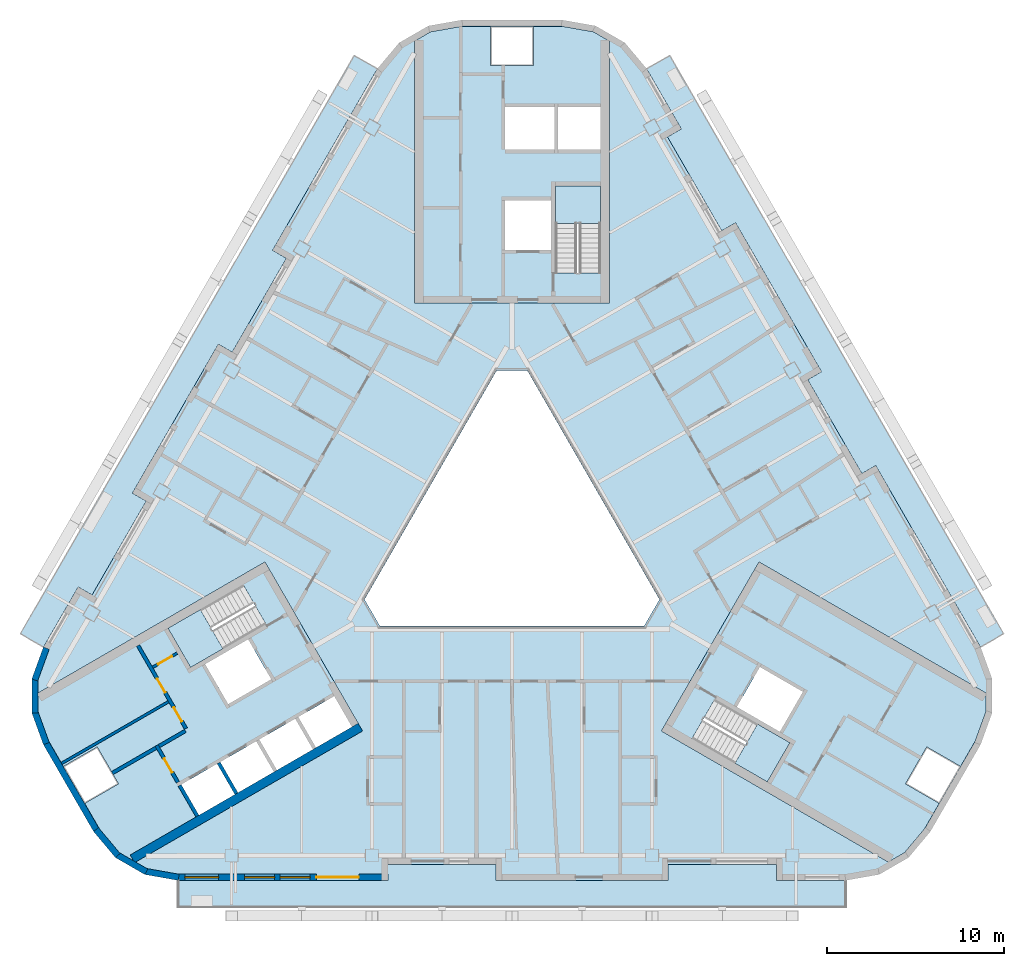
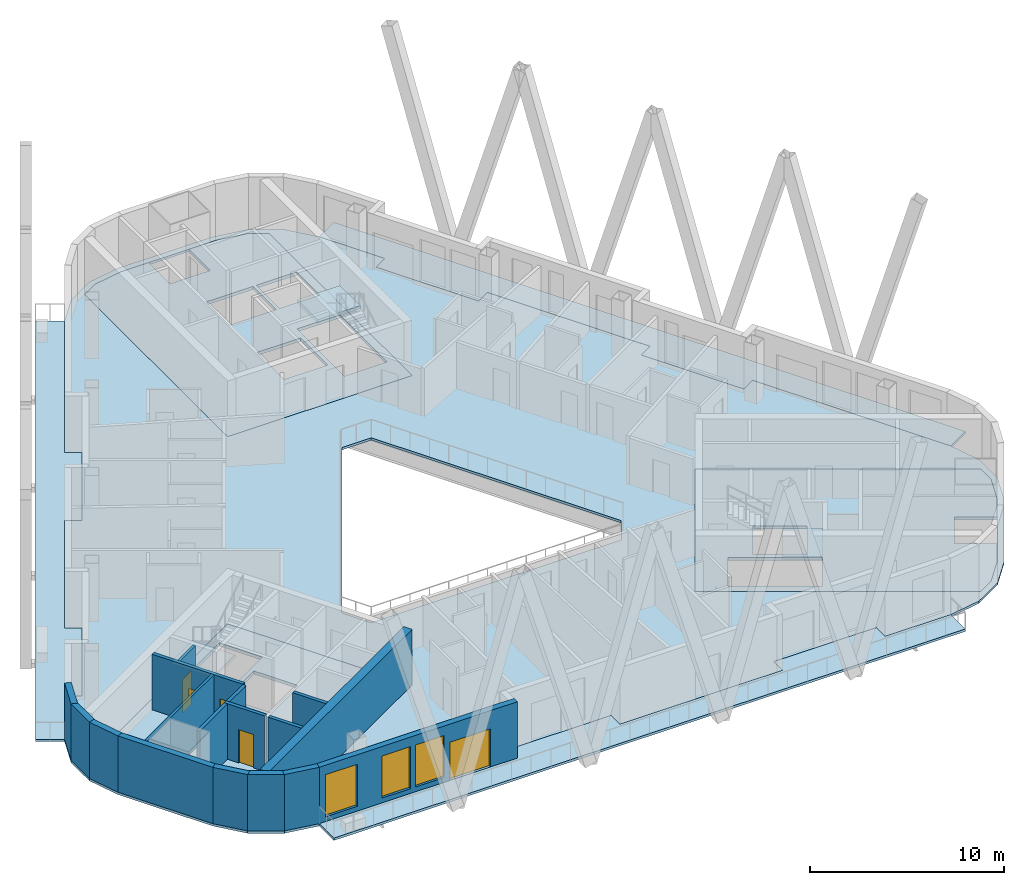
# One storey, part 2 of 14: 17 walls, 10 slabs, 5 doors, 3 windows, 8 openings, 3 elements without a shape of their own.
"""IFC4 building model written with IfcOpenShell, lengths in metres."""

from ifc_helpers import new_model, si_unit, direction, frame, frame_2d, origin, place, context, subcontext, project, spatial, polyline, rectangle, outline, extrude, material, layer, layer_set, type_object, element, fill, aggregate, save


model = new_model("IFC4")

# Units and contexts
model_context = context("Model", 3, precision=1e-05, world=origin(), true_north=direction((0.0, 1.0)))
body_context = subcontext(model_context, "Body", "Model", "MODEL_VIEW")
ifc_project = project(units=[si_unit("LENGTHUNIT", "METRE"), si_unit("AREAUNIT", "SQUARE_METRE"), si_unit("VOLUMEUNIT", "CUBIC_METRE"), si_unit("PLANEANGLEUNIT", "RADIAN"), si_unit("MASSUNIT", "GRAM", prefix="KILO")], contexts=[model_context])

# Site, building, storey
site_placement = place(None, origin())
site = spatial("IfcSite", under=ifc_project, at=site_placement, CompositionType="ELEMENT")
building_placement = place(site_placement, origin())
building = spatial("IfcBuilding", under=site, at=building_placement, Name="Apuvela Tower Hotel", CompositionType="ELEMENT")
storey_placement = place(building_placement, frame((0.0, 0.0, 224.300048828125)))
storey = spatial("IfcBuildingStorey", under=building, at=storey_placement, Name="L55", CompositionType="ELEMENT", Elevation=224.300048828125)

# Slabs
ifc_material_1 = material(Name="Concrete C50/60", Category="concrete")
ifc_layer_1 = layer(ifc_material_1, 0.199951171875)
ifc_layer_set_1 = layer_set([ifc_layer_1], Name="COR-FLOOR-200")
slab_type_1 = type_object("IfcSlabType", Name="COR-FLOOR-200", PredefinedType="FLOOR", material=ifc_layer_set_1)
slab_1_placement = place(storey_placement, frame((0.0, 0.0, -0.199951171875)))
element("IfcSlab", 1, at=slab_1_placement, inside=storey, type_object=slab_type_1, Name="Core floor N", PredefinedType="FLOOR", context=body_context, shape_type="SweptSolid", body=[
    extrude(outline(polyline([(5.5, 27.668212890625), (4.588623046875, 28.1943359375), (2.85498046875, 28.5), (1.199951171875, 28.5), (1.199951171875, 26.300048828125), (-1.199951171875, 26.300048828125), (-1.199951171875, 28.5), (-2.85498046875, 28.5), (-4.588623046875, 28.1943359375), (-5.5, 27.668212890625), (-5.5, 12.89990234375), (5.5, 12.89990234375), (5.5, 27.668212890625)]), holes=[polyline([(5.0, 14.60595703125), (2.449951171875, 14.60595703125), (2.449951171875, 19.5), (5.0, 19.5), (5.0, 14.60595703125)]), polyline([(2.199951171875, 15.89990234375), (-0.39990234375, 15.89990234375), (-0.39990234375, 18.699951171875), (2.199951171875, 18.699951171875), (2.199951171875, 15.89990234375)]), polyline([(5.0, 21.550048828125), (2.60009765625, 21.550048828125), (2.60009765625, 23.949951171875), (5.0, 23.949951171875), (5.0, 21.550048828125)]), polyline([(2.39990234375, 21.550048828125), (-0.39990234375, 21.550048828125), (-0.39990234375, 23.949951171875), (2.39990234375, 23.949951171875), (2.39990234375, 21.550048828125)])]), origin(), (0.0, 0.0, 1.0), 0.199951171875),
])
slab_2_placement = place(storey_placement, frame((0.0, 0.0, -0.199951171875)))
element("IfcSlab", 2, at=slab_2_placement, inside=storey, type_object=slab_type_1, Name="Core floor SW", PredefinedType="FLOOR", context=body_context, shape_type="SweptSolid", body=[
    extrude(outline(polyline([(-26.711181640625, -9.07080078125), (-26.711181640625, -10.123291015625), (-26.109375, -11.77734375), (-25.28173828125, -13.210693359375), (-23.37646484375, -12.11083984375), (-22.176513671875, -14.189208984375), (-24.081787109375, -15.289306640625), (-23.254150390625, -16.72265625), (-22.122802734375, -18.071044921875), (-21.211181640625, -18.59716796875), (-8.421630859375, -11.213134765625), (-13.921630859375, -1.68701171875), (-26.711181640625, -9.07080078125)]), holes=[polyline([(-10.01806640625, -9.248046875), (-9.01806640625, -10.97998046875), (-11.044677734375, -12.150146484375), (-12.044677734375, -10.418212890625), (-10.01806640625, -9.248046875)]), polyline([(-14.244384765625, -11.68798828125), (-12.2177734375, -10.51806640625), (-11.2177734375, -12.25), (-13.244384765625, -13.420166015625), (-14.244384765625, -11.68798828125)]), polyline([(-19.387451171875, -5.419921875), (-15.149169921875, -2.972900390625), (-13.874267578125, -5.18115234375), (-18.112548828125, -7.628173828125), (-19.387451171875, -5.419921875)]), polyline([(-14.869873046875, -6.044677734375), (-13.56982421875, -8.29638671875), (-15.99462890625, -9.6962890625), (-17.294677734375, -7.444580078125), (-14.869873046875, -6.044677734375)]), polyline([(-16.444091796875, -12.9580078125), (-14.41748046875, -11.7880859375), (-13.41748046875, -13.52001953125), (-15.444091796875, -14.690185546875), (-16.444091796875, -12.9580078125)]), polyline([(-18.643798828125, -14.22802734375), (-16.6171875, -13.05810546875), (-15.6171875, -14.7900390625), (-17.643798828125, -15.960205078125), (-18.643798828125, -14.22802734375)])]), origin(), (0.0, 0.0, 1.0), 0.199951171875),
])
slab_3_placement = place(storey_placement, frame((0.0, 0.0, -0.199951171875)))
element("IfcSlab", 3, at=slab_3_placement, inside=storey, type_object=slab_type_1, Name="Core floor SE", PredefinedType="FLOOR", context=body_context, shape_type="SweptSolid", body=[
    extrude(outline(polyline([(21.211181640625, -18.59716796875), (22.122802734375, -18.071044921875), (23.254150390625, -16.72265625), (24.081787109375, -15.289306640625), (22.176513671875, -14.189208984375), (23.37646484375, -12.11083984375), (25.28173828125, -13.210693359375), (26.109375, -11.77734375), (26.711181640625, -10.123291015625), (26.711181640625, -9.07080078125), (13.921630859375, -1.68701171875), (8.421630859375, -11.213134765625), (21.211181640625, -18.59716796875)]), holes=[polyline([(11.42431640625, -9.4248046875), (15.66259765625, -11.871826171875), (14.387451171875, -14.080078125), (10.149169921875, -11.633056640625), (11.42431640625, -9.4248046875)]), polyline([(13.9697265625, -7.603515625), (16.394775390625, -9.003662109375), (15.0947265625, -11.25537109375), (12.669921875, -9.855224609375), (13.9697265625, -7.603515625)])]), origin(), (0.0, 0.0, 1.0), 0.199951171875),
])

# Stair, slab
stair_type = type_object("IfcStairType", Name="COR-STAIR-22R", PredefinedType="HALF_TURN_STAIR", material=ifc_material_1)
stair_1_placement = place(storey_placement, origin())
stair_1 = element("IfcStair", 4, at=stair_1_placement, inside=storey, type_object=stair_type, Name="L55 Exit stair ST1", PredefinedType="HALF_TURN_STAIR")
ifc_layer_2 = layer(ifc_material_1, 0.199951171875)
ifc_layer_set_2 = layer_set([ifc_layer_2], Name="COR-LANDING-200")
slab_type_2 = type_object("IfcSlabType", Name="COR-LANDING-200", PredefinedType="LANDING", material=ifc_layer_set_2)
slab_4_placement = place(storey_placement, frame((0.0, 0.0, 1.64990234375)))
slab_4 = element("IfcSlab", 5, at=slab_4_placement, type_object=slab_type_2, Name="ST1 landing 1", PredefinedType="LANDING", context=body_context, shape_type="SweptSolid", body=[
    extrude(outline(polyline([(5.0, 17.39404296875), (5.0, 19.5), (2.449951171875, 19.5), (2.449951171875, 17.39404296875), (5.0, 17.39404296875)])), origin(), (0.0, 0.0, 1.0), 0.199951171875),
])
aggregate(stair_1, [slab_4])

stair_2_placement = place(storey_placement, origin())
stair_2 = element("IfcStair", 6, at=stair_2_placement, inside=storey, type_object=stair_type, Name="L55 Exit stair ST2", PredefinedType="HALF_TURN_STAIR")
slab_5_placement = place(storey_placement, frame((0.0, 0.0, 1.64990234375)))
slab_5 = element("IfcSlab", 7, at=slab_5_placement, type_object=slab_type_2, Name="ST2 landing 1", PredefinedType="LANDING", context=body_context, shape_type="SweptSolid", body=[
    extrude(outline(polyline([(-17.563720703125, -4.366943359375), (-19.387451171875, -5.419921875), (-18.112548828125, -7.628173828125), (-16.28857421875, -6.5751953125), (-17.563720703125, -4.366943359375)])), origin(), (0.0, 0.0, 1.0), 0.199951171875),
])
aggregate(stair_2, [slab_5])

stair_3_placement = place(storey_placement, origin())
stair_3 = element("IfcStair", 8, at=stair_3_placement, inside=storey, type_object=stair_type, Name="L55 Exit stair ST3", PredefinedType="HALF_TURN_STAIR")
slab_6_placement = place(storey_placement, frame((0.0, 0.0, 1.64990234375)))
slab_6 = element("IfcSlab", 9, at=slab_6_placement, type_object=slab_type_2, Name="ST3 landing 1", PredefinedType="LANDING", context=body_context, shape_type="SweptSolid", body=[
    extrude(outline(polyline([(12.563720703125, -13.027099609375), (14.387451171875, -14.080078125), (15.66259765625, -11.871826171875), (13.838623046875, -10.81884765625), (12.563720703125, -13.027099609375)])), origin(), (0.0, 0.0, 1.0), 0.199951171875),
])
aggregate(stair_3, [slab_6])

# Slabs
ifc_material_2 = material(Name="Concrete C40/50, fair-faced", Category="concrete")
ifc_layer_3 = layer(ifc_material_2, 0.14990234375)
ifc_layer_set_3 = layer_set([ifc_layer_3], Name="ENV-BALCONY-150")
slab_type_3 = type_object("IfcSlabType", Name="ENV-BALCONY-150", PredefinedType="FLOOR", material=ifc_layer_set_3)
slab_7_placement = place(storey_placement, frame((0.0, 0.0, -0.150146484375)))
element("IfcSlab", 10, at=slab_7_placement, inside=storey, type_object=slab_type_3, Name="Balcony slab S L55", PredefinedType="FLOOR", context=body_context, shape_type="SweptSolid", body=[
    extrude(outline(polyline([(18.82080078125, -21.135009765625), (-18.82080078125, -21.135009765625), (-18.82080078125, -19.625), (-7.0048828125, -19.625), (-7.0048828125, -18.72509765625), (-0.89501953125, -18.72509765625), (-0.89501953125, -19.625), (8.794921875, -19.625), (8.794921875, -18.72509765625), (14.905029296875, -18.72509765625), (14.905029296875, -19.625), (18.82080078125, -19.625), (18.82080078125, -21.135009765625)])), origin(), (0.0, 0.0, 1.0), 0.150146484375),
])
slab_8_placement = place(storey_placement, frame((0.0, 0.0, -0.150146484375)))
element("IfcSlab", 11, at=slab_8_placement, inside=storey, type_object=slab_type_3, Name="Balcony slab NE L55", PredefinedType="FLOOR", context=body_context, shape_type="SweptSolid", body=[
    extrude(outline(polyline([(17.443359375, 9.037353515625), (12.598388671875, 17.42919921875), (11.81884765625, 16.979248046875), (8.763916015625, 22.2705078125), (9.543212890625, 22.720703125), (7.585205078125, 26.11181640625), (8.89306640625, 26.86669921875), (27.7138671875, -5.731689453125), (26.40625, -6.48681640625), (20.498291015625, 3.74609375), (19.71875, 3.2958984375), (16.663818359375, 8.58740234375), (17.443359375, 9.037353515625)])), origin(), (0.0, 0.0, 1.0), 0.150146484375),
])
slab_9_placement = place(storey_placement, frame((0.0, 0.0, -0.150146484375)))
element("IfcSlab", 12, at=slab_9_placement, inside=storey, type_object=slab_type_3, Name="Balcony slab NW L55", PredefinedType="FLOOR", context=body_context, shape_type="SweptSolid", body=[
    extrude(outline(polyline([(-27.7138671875, -5.731689453125), (-8.89306640625, 26.86669921875), (-7.585205078125, 26.11181640625), (-13.4931640625, 15.87890625), (-12.7138671875, 15.428955078125), (-15.768798828125, 10.1376953125), (-16.548095703125, 10.587646484375), (-21.393310546875, 2.19580078125), (-20.61376953125, 1.745849609375), (-23.668701171875, -3.545654296875), (-24.4482421875, -3.095703125), (-26.40625, -6.48681640625), (-27.7138671875, -5.731689453125)])), origin(), (0.0, 0.0, 1.0), 0.150146484375),
])
ifc_material_3 = material(Name="Concrete C35/45", Category="concrete")
ifc_layer_4 = layer(ifc_material_3, 0.14990234375)
ifc_layer_set_4 = layer_set([ifc_layer_4], Name="STR-SLAB 150 floor Concrete C35/45")
slab_type_4 = type_object("IfcSlabType", Name="STR-SLAB 150 floor Concrete C35/45", PredefinedType="FLOOR", material=ifc_layer_set_4)
slab_10_placement = place(storey_placement, frame((0.0, 0.0, -0.150146484375)))
element("IfcSlab", 13, at=slab_10_placement, inside=storey, type_object=slab_type_4, Name="Floor slab S4 L55", PredefinedType="FLOOR", context=body_context, shape_type="SweptSolid", body=[
    extrude(outline(polyline([(-6.3642578125, 27.5732421875), (-4.710205078125, 28.5283203125), (-2.8291015625, 28.860107421875), (2.8291015625, 28.860107421875), (4.710205078125, 28.5283203125), (6.3642578125, 27.5732421875), (7.59228515625, 26.110107421875), (9.550048828125, 22.71875), (8.770751953125, 22.268798828125), (11.82080078125, 16.986083984375), (12.60009765625, 17.43603515625), (17.4501953125, 9.035400390625), (16.670654296875, 8.58544921875), (19.720703125, 3.302734375), (20.5, 3.752685546875), (26.407958984375, -6.47998046875), (27.061279296875, -8.27490234375), (27.061279296875, -10.18505859375), (26.407958984375, -11.97998046875), (23.5791015625, -16.8798828125), (22.351318359375, -18.34326171875), (20.697021484375, -19.29833984375), (18.81591796875, -19.6298828125), (14.89990234375, -19.6298828125), (14.89990234375, -18.72998046875), (8.800048828125, -18.72998046875), (8.800048828125, -19.6298828125), (-0.89990234375, -19.6298828125), (-0.89990234375, -18.72998046875), (-7.0, -18.72998046875), (-7.0, -19.6298828125), (-18.81591796875, -19.6298828125), (-20.697021484375, -19.29833984375), (-22.351318359375, -18.34326171875), (-23.5791015625, -16.8798828125), (-26.407958984375, -11.97998046875), (-27.061279296875, -10.18505859375), (-27.061279296875, -8.27490234375), (-26.407958984375, -6.47998046875), (-24.4501953125, -3.088623046875), (-23.670654296875, -3.538818359375), (-20.62060546875, 1.743896484375), (-21.400146484375, 2.194091796875), (-16.550048828125, 10.594482421875), (-15.7705078125, 10.14453125), (-12.720703125, 15.42724609375), (-13.5, 15.877197265625), (-7.59228515625, 26.110107421875), (-6.3642578125, 27.5732421875)]), holes=[polyline([(0.865966796875, 9.10009765625), (-0.865966796875, 9.10009765625), (-8.313720703125, -3.800048828125), (-7.44775390625, -5.300048828125), (7.44775390625, -5.300048828125), (8.313720703125, -3.800048828125), (0.865966796875, 9.10009765625)]), polyline([(-5.5, 12.89990234375), (-5.5, 27.668212890625), (-4.588623046875, 28.1943359375), (-2.85498046875, 28.5), (2.85498046875, 28.5), (4.588623046875, 28.1943359375), (5.5, 27.668212890625), (5.5, 12.89990234375), (-5.5, 12.89990234375)]), polyline([(-8.421630859375, -11.213134765625), (-21.211181640625, -18.59716796875), (-22.122802734375, -18.071044921875), (-23.254150390625, -16.72265625), (-26.109375, -11.77734375), (-26.711181640625, -10.123291015625), (-26.711181640625, -9.07080078125), (-13.921630859375, -1.68701171875), (-8.421630859375, -11.213134765625)]), polyline([(13.921630859375, -1.68701171875), (26.711181640625, -9.07080078125), (26.711181640625, -10.123291015625), (26.109375, -11.77734375), (23.254150390625, -16.72265625), (22.122802734375, -18.071044921875), (21.211181640625, -18.59716796875), (8.421630859375, -11.213134765625), (13.921630859375, -1.68701171875)])]), origin(), (0.0, 0.0, 1.0), 0.150146484375),
])

# Wall
ifc_layer_5 = layer(ifc_material_1, 0.5)
ifc_layer_set_5 = layer_set([ifc_layer_5], Name="COR-WALL-CORE-500")
wall_type_1 = type_object("IfcWallType", Name="COR-WALL-CORE-500", PredefinedType="SHEAR", material=ifc_layer_set_5)
wall_1_placement = place(storey_placement, frame((-8.546630859375, -10.99658203125, 0.0), z_axis=(0.0, 0.0, 1.0), x_axis=(-0.866025009528, -0.500000682871, 0.0)))
element("IfcWall", 14, at=wall_1_placement, inside=storey, type_object=wall_type_1, Name="Core wall SW", PredefinedType="SHEAR", context=body_context, shape_type="SweptSolid", body=[
    extrude(rectangle(XDim=14.8369140625, YDim=0.5, at=frame_2d((7.41845703125, 0.0))), origin(), (0.0, 0.0, 1.0), 3.5),
])

# Wall, opening, door
ifc_material_4 = material(Name="Blockwork 150 mm plastered", Category="masonry")
ifc_layer_6 = layer(ifc_material_4, 0.14990234375)
ifc_layer_set_6 = layer_set([ifc_layer_6], Name="COR-WALL-PART-150")
wall_type_2 = type_object("IfcWallType", Name="COR-WALL-PART-150", PredefinedType="PARTITIONING", material=ifc_layer_set_6)
wall_2_placement = place(storey_placement, frame((-18.866455078125, -6.822265625, 0.0), z_axis=(0.0, 0.0, 1.0), x_axis=(-0.866028054938, -0.499995408039, 0.0)))
wall_2 = element("IfcWall", 15, at=wall_2_placement, inside=storey, type_object=wall_type_2, Name="Partition SW", PredefinedType="PARTITIONING", context=body_context, shape_type="SweptSolid", body=[
    extrude(rectangle(XDim=1.60009765625, YDim=0.14990234375, at=frame_2d((0.800048828125, 0.0))), origin(), (0.0, 0.0, 1.0), 3.5),
])
opening_1_placement = place(wall_2_placement, frame((0.35009765625, 0.0, 0.0)))
opening_1 = element("IfcOpeningElement", 16, at=opening_1_placement, cuts=wall_2, Name="Opening W-RD", PredefinedType="OPENING", context=body_context, shape_type="SweptSolid", body=[
    extrude(rectangle(XDim=0.89990234375, YDim=2.10009765625, at=frame_2d((0.449951171875, 1.050048828125))), frame((0.0, 0.0849609375, 0.0), z_axis=(0.0, -1.0, 0.0), x_axis=(1.0, 0.0, 0.0)), (0.0, 0.0, 1.0), 0.169921875),
])
ifc_material_5 = material(Name="Steel access door, powder coated", Category="steel")
door_type_1 = type_object("IfcDoorType", Name="COR-RD-900", OperationType="NOTDEFINED", PredefinedType="DOOR", material=ifc_material_5)
door_1_placement = place(opening_1_placement, frame((0.89990234375, 0.0, 0.0), z_axis=(0.0, 0.0, 1.0), x_axis=(-1.0, 0.0, 0.0)))
door_1 = element("IfcDoor", 17, at=door_1_placement, inside=storey, type_object=door_type_1, Name="Riser door W-RD", OperationType="SINGLE_SWING_RIGHT", OverallHeight=2.10009765625, OverallWidth=0.89990234375, PredefinedType="DOOR", context=body_context, shape_type="SweptSolid", body=[
    extrude(rectangle(XDim=0.89990234375, YDim=2.10009765625, at=frame_2d((0.449951171875, 1.050048828125))), frame((0.0, 0.02490234375, 0.0), z_axis=(0.0, -1.0, 0.0), x_axis=(1.0, 0.0, 0.0)), (0.0, 0.0, 1.0), 0.050048828125),
])
fill(opening_1, door_1)

# Wall
wall_3_placement = place(storey_placement, frame((-19.36279296875, -9.5625, 0.0), z_axis=(0.0, 0.0, 1.0), x_axis=(-0.866016523273, -0.500015381182, 0.0)))
element("IfcWall", 18, at=wall_3_placement, inside=storey, type_object=wall_type_2, Name="Partition SW", PredefinedType="PARTITIONING", context=body_context, shape_type="SweptSolid", body=[
    extrude(rectangle(XDim=6.949951171875, YDim=0.14990234375, at=frame_2d((3.47509765625, 0.0))), origin(), (0.0, 0.0, 1.0), 3.5),
])

# Wall, openings, doors
ifc_material_6 = material(Name="Blockwork 200 mm plastered", Category="masonry")
ifc_layer_7 = layer(ifc_material_6, 0.199951171875)
ifc_layer_set_7 = layer_set([ifc_layer_7], Name="COR-WALL-PART-200")
wall_type_3 = type_object("IfcWallType", Name="COR-WALL-PART-200", PredefinedType="PARTITIONING", material=ifc_layer_set_7)
wall_4_placement = place(storey_placement, frame((-21.076171875, -6.39501953125, 0.0), z_axis=(0.0, 0.0, 1.0), x_axis=(0.50001468107, -0.866016927499, 0.0)))
wall_4 = element("IfcWall", 19, at=wall_4_placement, inside=storey, type_object=wall_type_3, Name="Partition SW", PredefinedType="PARTITIONING", context=body_context, shape_type="SweptSolid", body=[
    extrude(rectangle(XDim=5.399658203125, YDim=0.199951171875, at=frame_2d((2.69970703125, 0.0))), origin(), (0.0, 0.0, 1.0), 3.5),
])
opening_2_placement = place(wall_4_placement, frame((2.16259765625, 0.0, 0.0)))
opening_2 = element("IfcOpeningElement", 20, at=opening_2_placement, cuts=wall_4, Name="Opening W-RS1", PredefinedType="OPENING", context=body_context, shape_type="SweptSolid", body=[
    extrude(rectangle(XDim=0.89990234375, YDim=2.10009765625, at=frame_2d((0.449951171875, 1.050048828125))), frame((0.0, 0.10986328125, 0.0), z_axis=(0.0, -1.0, 0.0), x_axis=(1.0, 0.0, 0.0)), (0.0, 0.0, 1.0), 0.219970703125),
])
opening_3_placement = place(wall_4_placement, frame((4.03759765625, 0.0, 0.0)))
opening_3 = element("IfcOpeningElement", 21, at=opening_3_placement, cuts=wall_4, Name="Opening W-RS2", PredefinedType="OPENING", context=body_context, shape_type="SweptSolid", body=[
    extrude(rectangle(XDim=0.89990234375, YDim=2.10009765625, at=frame_2d((0.449951171875, 1.050048828125))), frame((0.0, 0.10986328125, 0.0), z_axis=(0.0, -1.0, 0.0), x_axis=(1.0, 0.0, 0.0)), (0.0, 0.0, 1.0), 0.219970703125),
])
ifc_material_7 = material(Name="Steel fire door, powder coated", Category="steel")
door_type_2 = type_object("IfcDoorType", Name="COR-DR-900", OperationType="NOTDEFINED", PredefinedType="DOOR", material=ifc_material_7)
door_2_placement = place(opening_2_placement, frame((0.89990234375, 0.0, 0.0), z_axis=(0.0, 0.0, 1.0), x_axis=(-1.0, 0.0, 0.0)))
door_2 = element("IfcDoor", 22, at=door_2_placement, inside=storey, type_object=door_type_2, Name="Store door W-RS1", OperationType="SINGLE_SWING_LEFT", OverallHeight=2.10009765625, OverallWidth=0.89990234375, PredefinedType="DOOR", context=body_context, shape_type="SweptSolid", body=[
    extrude(rectangle(XDim=0.89990234375, YDim=2.10009765625, at=frame_2d((0.449951171875, 1.050048828125))), frame((0.0, 0.02490234375, 0.0), z_axis=(0.0, -1.0, 0.0), x_axis=(1.0, 0.0, 0.0)), (0.0, 0.0, 1.0), 0.050048828125),
])
fill(opening_2, door_2)
door_3_placement = place(opening_3_placement, frame((0.89990234375, 0.0, 0.0), z_axis=(0.0, 0.0, 1.0), x_axis=(-1.0, 0.0, 0.0)))
door_3 = element("IfcDoor", 23, at=door_3_placement, inside=storey, type_object=door_type_2, Name="Store door W-RS2", OperationType="SINGLE_SWING_LEFT", OverallHeight=2.10009765625, OverallWidth=0.89990234375, PredefinedType="DOOR", context=body_context, shape_type="SweptSolid", body=[
    extrude(rectangle(XDim=0.89990234375, YDim=2.10009765625, at=frame_2d((0.449951171875, 1.050048828125))), frame((0.0, 0.02490234375, 0.0), z_axis=(0.0, -1.0, 0.0), x_axis=(1.0, 0.0, 0.0)), (0.0, 0.0, 1.0), 0.050048828125),
])
fill(opening_3, door_3)

# Wall, opening, door
ifc_layer_8 = layer(ifc_material_1, 0.199951171875)
ifc_layer_set_8 = layer_set([ifc_layer_8], Name="COR-WALL-SHAFT-200")
wall_type_4 = type_object("IfcWallType", Name="COR-WALL-SHAFT-200", PredefinedType="SHEAR", material=ifc_layer_set_8)
wall_5_placement = place(storey_placement, frame((-20.030517578125, -12.0263671875, 0.0), z_axis=(0.0, 0.0, 1.0), x_axis=(0.500033551112, -0.866006032174, 0.0)))
wall_5 = element("IfcWall", 24, at=wall_5_placement, inside=storey, type_object=wall_type_4, Name="Shaft wall SW", PredefinedType="SHEAR", context=body_context, shape_type="SweptSolid", body=[
    extrude(rectangle(XDim=2.400146484375, YDim=0.199951171875, at=frame_2d((1.2001953125, 0.0))), origin(), (0.0, 0.0, 1.0), 3.5),
])
opening_4_placement = place(wall_5_placement, frame((0.85009765625, 0.0, 0.0)))
opening_4 = element("IfcOpeningElement", 25, at=opening_4_placement, cuts=wall_5, Name="Opening W-REP", PredefinedType="OPENING", context=body_context, shape_type="SweptSolid", body=[
    extrude(rectangle(XDim=0.89990234375, YDim=2.10009765625, at=frame_2d((0.449951171875, 1.050048828125))), frame((0.0, 0.10986328125, 0.0), z_axis=(0.0, -1.0, 0.0), x_axis=(1.0, 0.0, 0.0)), (0.0, 0.0, 1.0), 0.219970703125),
])
door_4_placement = place(opening_4_placement, frame((0.89990234375, 0.0, 0.0), z_axis=(0.0, 0.0, 1.0), x_axis=(-1.0, 0.0, 0.0)))
door_4 = element("IfcDoor", 26, at=door_4_placement, inside=storey, type_object=door_type_2, Name="Store door W-REP", OperationType="SINGLE_SWING_LEFT", OverallHeight=2.10009765625, OverallWidth=0.89990234375, PredefinedType="DOOR", context=body_context, shape_type="SweptSolid", body=[
    extrude(rectangle(XDim=0.89990234375, YDim=2.10009765625, at=frame_2d((0.449951171875, 1.050048828125))), frame((0.0, 0.02490234375, 0.0), z_axis=(0.0, -1.0, 0.0), x_axis=(1.0, 0.0, 0.0)), (0.0, 0.0, 1.0), 0.050048828125),
])
fill(opening_4, door_4)

# Walls
wall_6_placement = place(storey_placement, frame((-18.412841796875, -11.2080078125, 0.0), z_axis=(0.0, 0.0, 1.0), x_axis=(-0.866038183914, -0.499977863513, 0.0)))
element("IfcWall", 27, at=wall_6_placement, inside=storey, type_object=wall_type_4, Name="Shaft wall SW", PredefinedType="SHEAR", context=body_context, shape_type="SweptSolid", body=[
    extrude(rectangle(XDim=1.7099609375, YDim=0.199951171875, at=frame_2d((0.85498046875, 0.0))), origin(), (0.0, 0.0, 1.0), 3.5),
])
for number, where, z_axis, x_axis, name in (
    (28, (-16.530517578125, -13.008056640625, 0.0), (0.0, 0.0, 1.0), (0.50002537861, -0.866010750942, 0.0), "Shaft wall SW"),
    (29, (-18.73046875, -14.278076171875, 0.0), (0.0, 0.0, 1.0), (0.50002537861, -0.866010750942, 0.0), "Shaft wall SW"),
):
    element("IfcWall", number, at=place(storey_placement, frame(where, z_axis=z_axis, x_axis=x_axis)), inside=storey, type_object=wall_type_4, Name=name, PredefinedType="SHEAR", context=body_context, shape_type="SweptSolid", body=[
        extrude(rectangle(XDim=2.0, YDim=0.199951171875, at=frame_2d((1.0, 0.0))), origin(), (0.0, 0.0, 1.0), 3.5),
    ])
wall_7_placement = place(storey_placement, frame((-20.06689453125, -12.1630859375, 0.0), z_axis=(0.0, 0.0, 1.0), x_axis=(-0.866055327414, -0.49994816717, 0.0)))
element("IfcWall", 30, at=wall_7_placement, inside=storey, type_object=wall_type_4, Name="Shaft wall SW", PredefinedType="SHEAR", context=body_context, shape_type="SweptSolid", body=[
    extrude(rectangle(XDim=2.840087890625, YDim=0.199951171875, at=frame_2d((1.419921875, 0.0))), origin(), (0.0, 0.0, 1.0), 3.5),
])
ifc_material_8 = material(Name="Concrete C40/50, dark pigmented precast panel", Category="concrete")
ifc_layer_9 = layer(ifc_material_8, 0.35009765625)
ifc_layer_set_9 = layer_set([ifc_layer_9], Name="ENV-WALL-350")
wall_type_5 = type_object("IfcWallType", Name="ENV-WALL-350", PredefinedType="SOLIDWALL", material=ifc_layer_set_9)
for number, where, z_axis, x_axis, name in (
    (31, (-26.24365234375, -6.539794921875, 0.0), (0.0, 0.0, 1.0), (-0.342030395486, -0.939688889242, 0.0), "External wall L55-10"),
    (32, (-26.88623046875, -8.27490234375, 0.0), (0.0, 0.0, 1.0), (0.0, -1.0, 0.0), "External wall L55-11"),
    (33, (-26.89697265625, -10.125244140625, 0.0), (0.0, 0.0, 1.0), (0.342030395486, -0.939688889242, 0.0), "External wall L55-12"),
):
    element("IfcWall", number, at=place(storey_placement, frame(where, z_axis=z_axis, x_axis=x_axis)), inside=storey, type_object=wall_type_5, Name=name, PredefinedType="SOLIDWALL", context=body_context, shape_type="SweptSolid", body=[
        extrude(rectangle(XDim=1.91015625, YDim=0.35009765625, at=frame_2d((0.955078125, 0.0))), origin(), (0.0, 0.0, 1.0), 3.550048828125),
    ])
wall_8_placement = place(storey_placement, frame((-26.256591796875, -11.892578125, 0.0), z_axis=(0.0, 0.0, 1.0), x_axis=(0.500018773155, -0.866014564827, 0.0)))
element("IfcWall", 34, at=wall_8_placement, inside=storey, type_object=wall_type_5, Name="External wall L55-13", PredefinedType="SOLIDWALL", context=body_context, shape_type="SweptSolid", body=[
    extrude(rectangle(XDim=5.657958984375, YDim=0.35009765625, at=frame_2d((2.8291015625, 0.0))), origin(), (0.0, 0.0, 1.0), 3.550048828125),
])
for number, where, z_axis, x_axis, name in (
    (35, (-23.44482421875, -16.767578125, 0.0), (0.0, 0.0, 1.0), (0.642733291068, -0.76609001857, 0.0), "External wall L55-14"),
    (36, (-22.263671875, -18.191650390625, 0.0), (0.0, 0.0, 1.0), (0.866000389056, -0.500043324278, 0.0), "External wall L55-15"),
):
    element("IfcWall", number, at=place(storey_placement, frame(where, z_axis=z_axis, x_axis=x_axis)), inside=storey, type_object=wall_type_5, Name=name, PredefinedType="SOLIDWALL", context=body_context, shape_type="SweptSolid", body=[
        extrude(rectangle(XDim=1.909912109375, YDim=0.35009765625, at=frame_2d((0.955078125, 0.0))), origin(), (0.0, 0.0, 1.0), 3.550048828125),
    ])
wall_9_placement = place(storey_placement, frame((-20.66650390625, -19.1259765625, 0.0), z_axis=(0.0, 0.0, 1.0), x_axis=(0.984798995425, -0.173697837091, 0.0)))
element("IfcWall", 37, at=wall_9_placement, inside=storey, type_object=wall_type_5, Name="External wall L55-16", PredefinedType="SOLIDWALL", context=body_context, shape_type="SweptSolid", body=[
    extrude(rectangle(XDim=1.91015625, YDim=0.35009765625, at=frame_2d((0.955078125, 0.0))), origin(), (0.0, 0.0, 1.0), 3.550048828125),
])

# Wall, openings, door, windows
wall_10_placement = place(storey_placement, frame((-18.81591796875, -19.455078125, 0.0), z_axis=(0.0, 0.0, 1.0), x_axis=(1.0, 0.0, 0.0)))
wall_10 = element("IfcWall", 38, at=wall_10_placement, inside=storey, type_object=wall_type_5, Name="External wall L55-17", PredefinedType="SOLIDWALL", context=body_context, shape_type="SweptSolid", body=[
    extrude(rectangle(XDim=11.81591796875, YDim=0.35009765625, at=frame_2d((5.907958984375, 0.0))), origin(), (0.0, 0.0, 1.0), 3.550048828125),
])
opening_5_placement = place(wall_10_placement, frame((0.380615234375, 0.0, 0.300048828125)))
opening_5 = element("IfcOpeningElement", 39, at=opening_5_placement, cuts=wall_10, Name="Opening WN19", PredefinedType="OPENING", context=body_context, shape_type="SweptSolid", body=[
    extrude(rectangle(XDim=1.89990234375, YDim=2.64990234375, at=frame_2d((0.949951171875, 1.324951171875))), frame((0.0, 0.18505859375, 0.0), z_axis=(0.0, -1.0, 0.0), x_axis=(1.0, 0.0, 0.0)), (0.0, 0.0, 1.0), 0.3701171875),
])
opening_6_placement = place(wall_10_placement, frame((7.790283203125, 0.0, 0.0)))
opening_6 = element("IfcOpeningElement", 40, at=opening_6_placement, cuts=wall_10, Name="Opening BD24", PredefinedType="OPENING", context=body_context, shape_type="SweptSolid", body=[
    extrude(rectangle(XDim=2.39990234375, YDim=2.39990234375, at=frame_2d((1.199951171875, 1.199951171875))), frame((0.0, 0.18505859375, 0.0), z_axis=(0.0, -1.0, 0.0), x_axis=(1.0, 0.0, 0.0)), (0.0, 0.0, 1.0), 0.3701171875),
])
opening_7_placement = place(wall_10_placement, frame((3.740966796875, 0.0, 0.300048828125)))
opening_7 = element("IfcOpeningElement", 41, at=opening_7_placement, cuts=wall_10, Name="Opening WN17", PredefinedType="OPENING", context=body_context, shape_type="SweptSolid", body=[
    extrude(rectangle(XDim=1.699951171875, YDim=2.64990234375, at=frame_2d((0.85009765625, 1.324951171875))), frame((0.0, 0.18505859375, 0.0), z_axis=(0.0, -1.0, 0.0), x_axis=(1.0, 0.0, 0.0)), (0.0, 0.0, 1.0), 0.3701171875),
])
opening_8_placement = place(wall_10_placement, frame((5.740966796875, 0.0, 0.300048828125)))
opening_8 = element("IfcOpeningElement", 42, at=opening_8_placement, cuts=wall_10, Name="Opening WN17", PredefinedType="OPENING", context=body_context, shape_type="SweptSolid", body=[
    extrude(rectangle(XDim=1.699951171875, YDim=2.64990234375, at=frame_2d((0.85009765625, 1.324951171875))), frame((0.0, 0.18505859375, 0.0), z_axis=(0.0, -1.0, 0.0), x_axis=(1.0, 0.0, 0.0)), (0.0, 0.0, 1.0), 0.3701171875),
])
ifc_material_9 = material(Name="Aluminium 6063-T6, dark bronze anodised frame with dark tinted laminated glass", Category="aluminium")
door_type_3 = type_object("IfcDoorType", Name="ENV-DOOR-BALCONY-2400x2400", OperationType="SLIDING_TO_LEFT", PredefinedType="DOOR", material=ifc_material_9)
door_5_placement = place(opening_6_placement, frame((2.39990234375, 0.0, 0.0), z_axis=(0.0, 0.0, 1.0), x_axis=(-1.0, 0.0, 0.0)))
door_5 = element("IfcDoor", 43, at=door_5_placement, inside=storey, type_object=door_type_3, Name="Balcony door BD24", OperationType="SLIDING_TO_LEFT", OverallHeight=2.39990234375, OverallWidth=2.39990234375, PredefinedType="DOOR", context=body_context, shape_type="SweptSolid", body=[
    extrude(rectangle(XDim=2.39990234375, YDim=2.39990234375, at=frame_2d((1.199951171875, 1.199951171875))), frame((0.0, 0.02490234375, 0.0), z_axis=(0.0, -1.0, 0.0), x_axis=(1.0, 0.0, 0.0)), (0.0, 0.0, 1.0), 0.050048828125),
])
fill(opening_6, door_5)
ifc_material_10 = material(Name="Glass, dark tinted laminated insulated glazing unit", Category="glass")
window_type_1 = type_object("IfcWindowType", Name="ENV-WIN-1700x2650", PartitioningType="SINGLE_PANEL", PredefinedType="WINDOW", material=ifc_material_10)
window_1_placement = place(opening_7_placement, origin())
window_1 = element("IfcWindow", 44, at=window_1_placement, inside=storey, type_object=window_type_1, Name="Window WN17", OverallHeight=2.64990234375, OverallWidth=1.699951171875, PartitioningType="SINGLE_PANEL", PredefinedType="WINDOW", context=body_context, shape_type="SweptSolid", body=[
    extrude(rectangle(XDim=1.699951171875, YDim=2.64990234375, at=frame_2d((0.85009765625, 1.324951171875))), frame((0.0, 0.030029296875, 0.0), z_axis=(0.0, -1.0, 0.0), x_axis=(1.0, 0.0, 0.0)), (0.0, 0.0, 1.0), 0.06005859375),
])
fill(opening_7, window_1)
window_2_placement = place(opening_8_placement, origin())
window_2 = element("IfcWindow", 45, at=window_2_placement, inside=storey, type_object=window_type_1, Name="Window WN17", OverallHeight=2.64990234375, OverallWidth=1.699951171875, PartitioningType="SINGLE_PANEL", PredefinedType="WINDOW", context=body_context, shape_type="SweptSolid", body=[
    extrude(rectangle(XDim=1.699951171875, YDim=2.64990234375, at=frame_2d((0.85009765625, 1.324951171875))), frame((0.0, 0.030029296875, 0.0), z_axis=(0.0, -1.0, 0.0), x_axis=(1.0, 0.0, 0.0)), (0.0, 0.0, 1.0), 0.06005859375),
])
fill(opening_8, window_2)
window_type_2 = type_object("IfcWindowType", Name="ENV-WIN-1900x2650", PartitioningType="SINGLE_PANEL", PredefinedType="WINDOW", material=ifc_material_10)
window_3_placement = place(opening_5_placement, origin())
window_3 = element("IfcWindow", 46, at=window_3_placement, inside=storey, type_object=window_type_2, Name="Window WN19", OverallHeight=2.64990234375, OverallWidth=1.89990234375, PartitioningType="SINGLE_PANEL", PredefinedType="WINDOW", context=body_context, shape_type="SweptSolid", body=[
    extrude(rectangle(XDim=1.89990234375, YDim=2.64990234375, at=frame_2d((0.949951171875, 1.324951171875))), frame((0.0, 0.030029296875, 0.0), z_axis=(0.0, -1.0, 0.0), x_axis=(1.0, 0.0, 0.0)), (0.0, 0.0, 1.0), 0.06005859375),
])
fill(opening_5, window_3)

save(model, "model.ifc")
